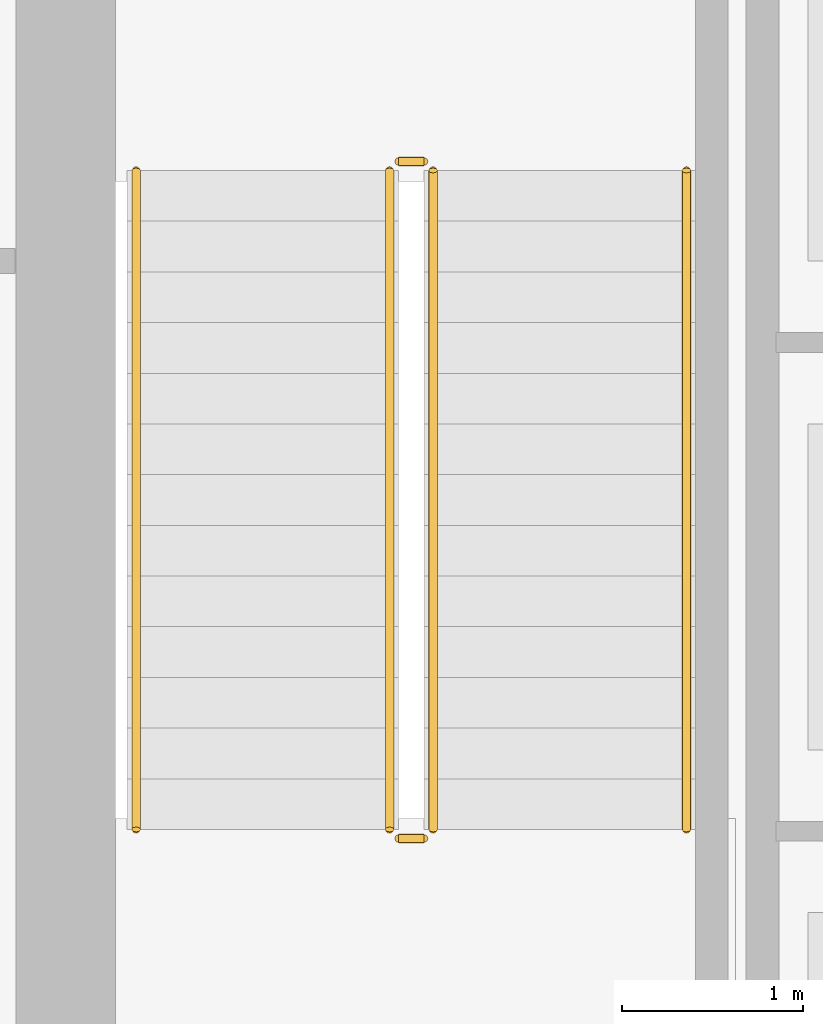
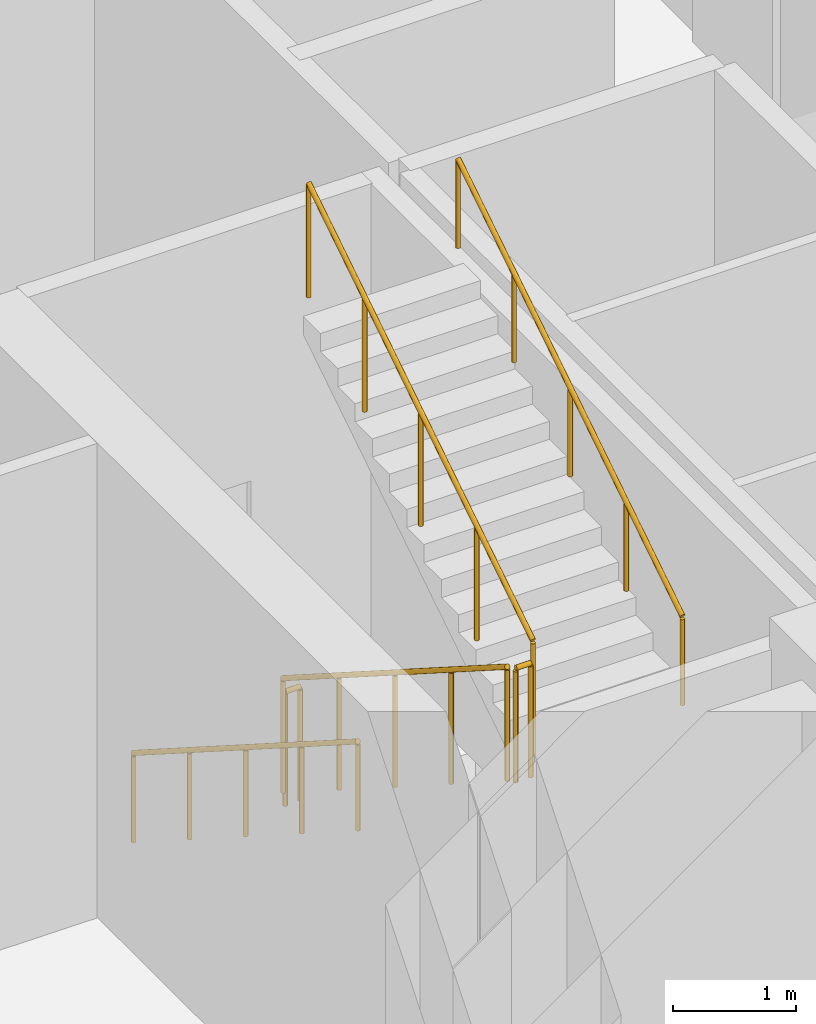
# One storey, part 14 of 21: 6 railings.
"""IFC4 building model written with IfcOpenShell, lengths in metres."""

from ifc_helpers import new_model, si_unit, direction, frame, origin, origin_2d, place, context, subcontext, project, spatial, circle, extrude, material, type_object, element, save


model = new_model("IFC4")

# Units and contexts
model_context = context("Model", 3, precision=1e-05, world=origin(), true_north=direction((0.0, 1.0)))
body_context = subcontext(model_context, "Body", "Model", "MODEL_VIEW")
ifc_project = project(units=[si_unit("LENGTHUNIT", "METRE"), si_unit("AREAUNIT", "SQUARE_METRE"), si_unit("VOLUMEUNIT", "CUBIC_METRE"), si_unit("PLANEANGLEUNIT", "RADIAN"), si_unit("MASSUNIT", "GRAM", prefix="KILO")], contexts=[model_context])

# Site, building, storey
site_placement = place(None, origin())
site = spatial("IfcSite", under=ifc_project, at=site_placement, CompositionType="ELEMENT")
building_placement = place(site_placement, origin())
building = spatial("IfcBuilding", under=site, at=building_placement, Name="Cairnveth Concourse Tower", CompositionType="ELEMENT")
storey_placement = place(building_placement, origin())
storey = spatial("IfcBuildingStorey", under=building, at=storey_placement, Name="L00", CompositionType="ELEMENT", Elevation=0.0)

# Railings
ifc_material = material(Name="Steel Grade 350", Category="steel")
railing_type_1 = type_object("IfcRailingType", Name="STAIR GUARDRAIL 1150", PredefinedType="GUARDRAIL", material=ifc_material)
railing_1_placement = place(storey_placement, frame((45.2900390625, 37.10009765625, 0.178466796875)))
element("IfcRailing", 1, at=railing_1_placement, inside=storey, type_object=railing_type_1, Name="L00 ST-1 stair guard 1", PredefinedType="GUARDRAIL", context=body_context, shape_type="SweptSolid", body=[
    extrude(circle(Radius=0.02392578125, at=origin_2d()), frame((0.0, 0.0, 1.1259765625), z_axis=(0.0, -0.843127859045, 0.537713132908), x_axis=(1.0, 0.0, 0.0)), (0.0, 0.0, 1.0), 4.3173828125),
    extrude(circle(Radius=0.02099609375, at=origin_2d()), origin(), (0.0, 0.0, 1.0), 1.101806640625),
    extrude(circle(Radius=0.02099609375, at=origin_2d()), frame((0.0, -0.91015625, 0.580322265625)), (0.0, 0.0, 1.0), 1.101806640625),
    extrude(circle(Radius=0.02099609375, at=origin_2d()), frame((0.0, -1.820068359375, 1.16064453125)), (0.0, 0.0, 1.0), 1.101806640625),
    extrude(circle(Radius=0.02099609375, at=origin_2d()), frame((0.0, -2.72998046875, 1.7412109375)), (0.0, 0.0, 1.0), 1.101806640625),
    extrude(circle(Radius=0.02099609375, at=origin_2d()), frame((0.0, -3.64013671875, 2.321533203125)), (0.0, 0.0, 1.0), 1.101806640625),
])
railing_2_placement = place(storey_placement, frame((45.340087890625, 33.409912109375, 2.5)))
element("IfcRailing", 2, at=railing_2_placement, inside=storey, type_object=railing_type_1, Name="L00 ST-1 stair guard 2", PredefinedType="GUARDRAIL", context=body_context, shape_type="SweptSolid", body=[
    extrude(circle(Radius=0.02392578125, at=origin_2d()), frame((0.0, 0.0, 1.1259765625), z_axis=(1.0, 0.0, 0.0), x_axis=(0.0, 1.0, 0.0)), (0.0, 0.0, 1.0), 0.139892578125),
    extrude(circle(Radius=0.02099609375, at=origin_2d()), origin(), (0.0, 0.0, 1.0), 1.101806640625),
    extrude(circle(Radius=0.02099609375, at=origin_2d()), frame((0.139892578125, 0.0, 0.0)), (0.0, 0.0, 1.0), 1.101806640625),
])
railing_3_placement = place(storey_placement, frame((45.530029296875, 33.4599609375, 2.678466796875)))
element("IfcRailing", 3, at=railing_3_placement, inside=storey, type_object=railing_type_1, Name="L00 ST-1 stair guard 3", PredefinedType="GUARDRAIL", context=body_context, shape_type="SweptSolid", body=[
    extrude(circle(Radius=0.02392578125, at=origin_2d()), frame((0.0, 0.0, 1.1259765625), z_axis=(0.0, 0.843127859045, 0.537713132908), x_axis=(-1.0, 0.0, 0.0)), (0.0, 0.0, 1.0), 4.3173828125),
    extrude(circle(Radius=0.02099609375, at=origin_2d()), origin(), (0.0, 0.0, 1.0), 1.101806640625),
    extrude(circle(Radius=0.02099609375, at=origin_2d()), frame((0.0, 0.91015625, 0.580322265625)), (0.0, 0.0, 1.0), 1.101806640625),
    extrude(circle(Radius=0.02099609375, at=origin_2d()), frame((0.0, 1.820068359375, 1.16064453125)), (0.0, 0.0, 1.0), 1.101806640625),
    extrude(circle(Radius=0.02099609375, at=origin_2d()), frame((0.0, 2.72998046875, 1.7412109375)), (0.0, 0.0, 1.0), 1.101806640625),
    extrude(circle(Radius=0.02099609375, at=origin_2d()), frame((0.0, 3.64013671875, 2.321533203125)), (0.0, 0.0, 1.0), 1.101806640625),
])
railing_4_placement = place(storey_placement, frame((45.340087890625, 37.14990234375, 0.0)))
element("IfcRailing", 4, at=railing_4_placement, inside=storey, type_object=railing_type_1, Name="L00 ST-1 stair guard 4", PredefinedType="GUARDRAIL", context=body_context, shape_type="SweptSolid", body=[
    extrude(circle(Radius=0.02392578125, at=origin_2d()), frame((0.0, 0.0, 1.1259765625), z_axis=(1.0, 0.0, 0.0), x_axis=(0.0, 1.0, 0.0)), (0.0, 0.0, 1.0), 0.139892578125),
    extrude(circle(Radius=0.02099609375, at=origin_2d()), origin(), (0.0, 0.0, 1.0), 1.101806640625),
    extrude(circle(Radius=0.02099609375, at=origin_2d()), frame((0.139892578125, 0.0, 0.0)), (0.0, 0.0, 1.0), 1.101806640625),
])
railing_type_2 = type_object("IfcRailingType", Name="STAIR WALL HANDRAIL 900", PredefinedType="HANDRAIL", material=ifc_material)
railing_5_placement = place(storey_placement, frame((43.889892578125, 37.10009765625, 0.178466796875)))
element("IfcRailing", 5, at=railing_5_placement, inside=storey, type_object=railing_type_2, Name="L00 ST-1 stair handrail 1", PredefinedType="HANDRAIL", context=body_context, shape_type="SweptSolid", body=[
    extrude(circle(Radius=0.02392578125, at=origin_2d()), frame((0.0, 0.0, 0.8759765625), z_axis=(0.0, -0.843127859045, 0.537713132908), x_axis=(1.0, 0.0, 0.0)), (0.0, 0.0, 1.0), 4.3173828125),
    extrude(circle(Radius=0.02099609375, at=origin_2d()), origin(), (0.0, 0.0, 1.0), 0.851806640625),
    extrude(circle(Radius=0.02099609375, at=origin_2d()), frame((0.0, -0.91015625, 0.580322265625)), (0.0, 0.0, 1.0), 0.851806640625),
    extrude(circle(Radius=0.02099609375, at=origin_2d()), frame((0.0, -1.820068359375, 1.16064453125)), (0.0, 0.0, 1.0), 0.851806640625),
    extrude(circle(Radius=0.02099609375, at=origin_2d()), frame((0.0, -2.72998046875, 1.7412109375)), (0.0, 0.0, 1.0), 0.851806640625),
    extrude(circle(Radius=0.02099609375, at=origin_2d()), frame((0.0, -3.64013671875, 2.321533203125)), (0.0, 0.0, 1.0), 0.851806640625),
])
railing_6_placement = place(storey_placement, frame((46.929931640625, 33.4599609375, 2.678466796875)))
element("IfcRailing", 6, at=railing_6_placement, inside=storey, type_object=railing_type_2, Name="L00 ST-1 stair handrail 2", PredefinedType="HANDRAIL", context=body_context, shape_type="SweptSolid", body=[
    extrude(circle(Radius=0.02392578125, at=origin_2d()), frame((0.0, 0.0, 0.8759765625), z_axis=(0.0, 0.843127859045, 0.537713132908), x_axis=(-1.0, 0.0, 0.0)), (0.0, 0.0, 1.0), 4.3173828125),
    extrude(circle(Radius=0.02099609375, at=origin_2d()), origin(), (0.0, 0.0, 1.0), 0.851806640625),
    extrude(circle(Radius=0.02099609375, at=origin_2d()), frame((0.0, 0.91015625, 0.580322265625)), (0.0, 0.0, 1.0), 0.851806640625),
    extrude(circle(Radius=0.02099609375, at=origin_2d()), frame((0.0, 1.820068359375, 1.16064453125)), (0.0, 0.0, 1.0), 0.851806640625),
    extrude(circle(Radius=0.02099609375, at=origin_2d()), frame((0.0, 2.72998046875, 1.7412109375)), (0.0, 0.0, 1.0), 0.851806640625),
    extrude(circle(Radius=0.02099609375, at=origin_2d()), frame((0.0, 3.64013671875, 2.321533203125)), (0.0, 0.0, 1.0), 0.851806640625),
])

save(model, "model.ifc")
